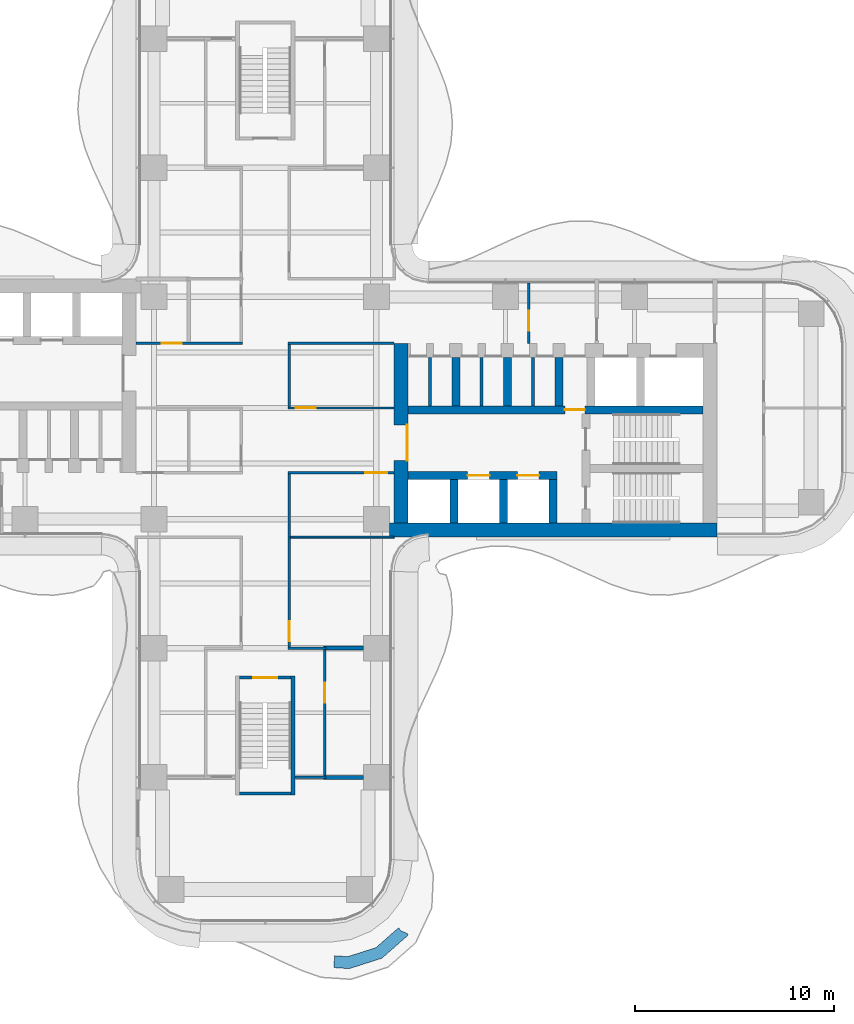
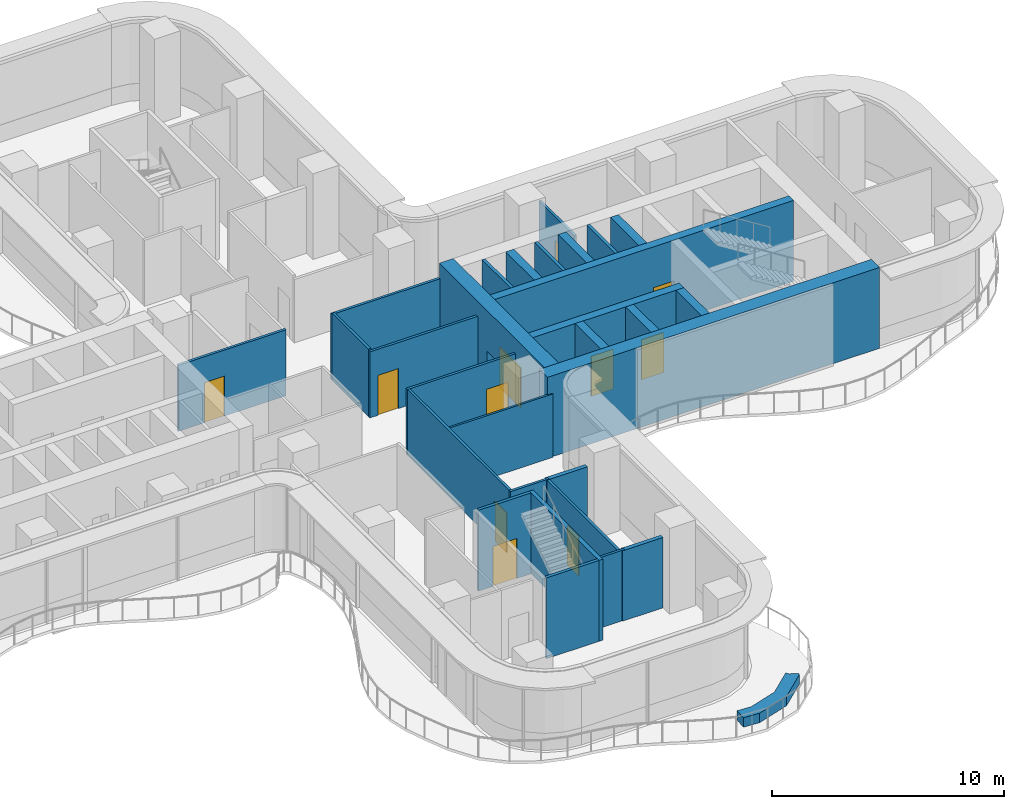
# One storey, part 17 of 21: 30 walls, 11 doors, 11 openings.
"""IFC4 building model written with IfcOpenShell, lengths in metres."""

from ifc_helpers import new_model, si_unit, direction, frame, frame_2d, origin, place, context, subcontext, project, spatial, polyline, rectangle, outline, extrude, source, transform, mapped, material, layer, layer_set, type_object, element, fill, save


model = new_model("IFC4")

# Units and contexts
model_context = context("Model", 3, precision=1e-05, world=origin(), true_north=direction((0.0, 1.0)))
body_context = subcontext(model_context, "Body", "Model", "MODEL_VIEW")
ifc_project = project(units=[si_unit("LENGTHUNIT", "METRE"), si_unit("AREAUNIT", "SQUARE_METRE"), si_unit("VOLUMEUNIT", "CUBIC_METRE"), si_unit("PLANEANGLEUNIT", "RADIAN"), si_unit("MASSUNIT", "GRAM", prefix="KILO")], contexts=[model_context])

# Site, building, storey
site_placement = place(None, origin())
site = spatial("IfcSite", under=ifc_project, at=site_placement, CompositionType="ELEMENT")
building_placement = place(site_placement, origin())
building = spatial("IfcBuilding", under=site, at=building_placement, Name="Trellis Farm Tower", CompositionType="ELEMENT")
storey_placement = place(building_placement, frame((0.0, 0.0, 147.0)))
storey = spatial("IfcBuildingStorey", under=building, at=storey_placement, Name="L31", CompositionType="ELEMENT", Elevation=147.0)

# Wall
ifc_material_1 = material(Name="Sandstone faced masonry planter", Category="masonry")
ifc_layer_1 = layer(ifc_material_1, 0.60009765625)
ifc_layer_set_1 = layer_set([ifc_layer_1], Name="PLANTER BED 600")
wall_type_1 = type_object("IfcWallType", Name="PLANTER BED 600", PredefinedType="USERDEFINED", material=ifc_layer_set_1)
wall_1_placement = place(storey_placement, origin())
element("IfcWall", 1, at=wall_1_placement, inside=storey, type_object=wall_type_1, Name="PLANTER bed", ObjectType="PLANTER", PredefinedType="USERDEFINED", context=body_context, shape_type="SweptSolid", body=[
    extrude(outline(polyline([(6.801025390625, -26.309814453125), (7.20068359375, -26.496826171875), (7.156005859375, -26.591796875), (5.87890625, -27.714599609375), (4.23828125, -28.23828125), (3.456298828125, -28.185791015625), (3.496337890625, -27.58740234375), (4.16455078125, -27.632080078125), (5.576904296875, -27.18115234375), (6.712890625, -26.1826171875), (6.81201171875, -26.295166015625), (6.801025390625, -26.309814453125)])), origin(), (0.0, 0.0, 1.0), 0.5),
])

# Wall, opening, door
ifc_material_2 = material(Name="Concrete C70/85", Category="concrete")
ifc_layer_2 = layer(ifc_material_2, 0.699951171875)
ifc_layer_set_2 = layer_set([ifc_layer_2], Name="CORE OUTER WALL 700 CONCRETE C70/85")
wall_type_2 = type_object("IfcWallType", Name="CORE OUTER WALL 700 CONCRETE C70/85", PredefinedType="SHEAR", material=ifc_layer_set_2)
shared_shape_1 = source(origin(), body_context, "Body", "SweptSolid", [
    extrude(rectangle(XDim=9.050048828125, YDim=0.699951171875, at=frame_2d((4.52490234375, 0.0))), origin(), (0.0, 0.0, 1.0), 4.25),
])
wall_2_placement = place(storey_placement, frame((6.85009765625, -5.800048828125, 0.0), z_axis=(0.0, 0.0, 1.0), x_axis=(0.0, 1.0, 0.0)))
wall_2 = element("IfcWall", 2, at=wall_2_placement, inside=storey, type_object=wall_type_2, Name="Core wall", PredefinedType="SHEAR", context=body_context, shape_type="MappedRepresentation", body=[
    mapped(shared_shape_1, transform((0.0, 0.0, 0.0))),
])
shared_shape_2 = source(origin(), body_context, "Body", "SweptSolid", [
    extrude(rectangle(XDim=1.800048828125, YDim=2.10009765625, at=frame_2d((0.89990234375, 1.050048828125))), frame((0.0, 0.360107421875, 0.0), z_axis=(0.0, -1.0, 0.0), x_axis=(1.0, 0.0, 0.0)), (0.0, 0.0, 1.0), 0.72021484375),
])
opening_1_placement = place(wall_2_placement, frame((3.14990234375, 0.0, 0.0)))
opening_1 = element("IfcOpeningElement", 3, at=opening_1_placement, cuts=wall_2, Name="Opening DC1", PredefinedType="OPENING", context=body_context, shape_type="MappedRepresentation", body=[
    mapped(shared_shape_2, transform((0.0, 0.0, 0.0))),
])
ifc_material_3 = material(Name="Steel", Category="steel")
door_type_1 = type_object("IfcDoorType", Name="CORE FIRE DOOR DOUBLE 1800 X 2100", OperationType="DOUBLE_DOOR_SINGLE_SWING", PredefinedType="DOOR", material=ifc_material_3)
shared_shape_3 = source(origin(), body_context, "Body", "SweptSolid", [
    extrude(rectangle(XDim=1.800048828125, YDim=2.10009765625, at=frame_2d((0.89990234375, 1.050048828125))), frame((0.0, -0.27490234375, 0.0), z_axis=(0.0, -1.0, 0.0), x_axis=(1.0, 0.0, 0.0)), (0.0, 0.0, 1.0), 0.050048828125),
])
door_1_placement = place(opening_1_placement, origin())
door_1 = element("IfcDoor", 4, at=door_1_placement, inside=storey, type_object=door_type_1, Name="Core door", OperationType="DOUBLE_DOOR_SINGLE_SWING", OverallHeight=2.10009765625, OverallWidth=1.800048828125, PredefinedType="DOOR", context=body_context, shape_type="MappedRepresentation", body=[
    mapped(shared_shape_3, transform((0.0, 0.0, 0.0))),
])
fill(opening_1, door_1)

# Walls
ifc_layer_3 = layer(ifc_material_2, 0.39990234375)
ifc_layer_set_3 = layer_set([ifc_layer_3], Name="CORE INNER WALL 400 CONCRETE C70/85")
wall_type_3 = type_object("IfcWallType", Name="CORE INNER WALL 400 CONCRETE C70/85", PredefinedType="SHEAR", material=ifc_layer_set_3)
shared_shape_4 = source(origin(), body_context, "Body", "SweptSolid", [
    extrude(rectangle(XDim=2.199951171875, YDim=0.39990234375, at=frame_2d((1.10009765625, 0.0))), origin(), (0.0, 0.0, 1.0), 4.25),
])
for number, where, z_axis, x_axis, name in (
    (5, (9.5, -5.800048828125, 0.0), (0.0, 0.0, 1.0), (0.0, 1.0, 0.0), "Core wall"),
    (6, (12.0, -5.800048828125, 0.0), (0.0, 0.0, 1.0), (0.0, 1.0, 0.0), "Core wall"),
    (7, (14.5, -5.800048828125, 0.0), (0.0, 0.0, 1.0), (0.0, 1.0, 0.0), "Core wall"),
):
    element("IfcWall", number, at=place(storey_placement, frame(where, z_axis=z_axis, x_axis=x_axis)), inside=storey, type_object=wall_type_3, Name=name, PredefinedType="SHEAR", context=body_context, shape_type="MappedRepresentation", body=[
        mapped(shared_shape_4, transform((0.0, 0.0, 0.0))),
    ])
shared_shape_5 = source(origin(), body_context, "Body", "SweptSolid", [
    extrude(rectangle(XDim=2.449951171875, YDim=0.39990234375, at=frame_2d((1.22509765625, 0.0))), origin(), (0.0, 0.0, 1.0), 4.25),
])
for number, where, z_axis, x_axis, name in (
    (8, (9.60009765625, 0.10009765625, 0.0), (0.0, 0.0, 1.0), (0.0, 1.0, 0.0), "Core wall"),
    (9, (12.199951171875, 0.10009765625, 0.0), (0.0, 0.0, 1.0), (0.0, 1.0, 0.0), "Core wall"),
    (10, (14.800048828125, 0.10009765625, 0.0), (0.0, 0.0, 1.0), (0.0, 1.0, 0.0), "Core wall"),
):
    element("IfcWall", number, at=place(storey_placement, frame(where, z_axis=z_axis, x_axis=x_axis)), inside=storey, type_object=wall_type_3, Name=name, PredefinedType="SHEAR", context=body_context, shape_type="MappedRepresentation", body=[
        mapped(shared_shape_5, transform((0.0, 0.0, 0.0))),
    ])

# Wall, openings, doors
shared_shape_6 = source(origin(), body_context, "Body", "SweptSolid", [
    extrude(rectangle(XDim=7.5, YDim=0.39990234375, at=frame_2d((3.75, 0.0))), origin(), (0.0, 0.0, 1.0), 4.25),
])
wall_3_placement = place(storey_placement, frame((7.199951171875, -3.39990234375, 0.0), z_axis=(0.0, 0.0, 1.0), x_axis=(1.0, 0.0, 0.0)))
wall_3 = element("IfcWall", 11, at=wall_3_placement, inside=storey, type_object=wall_type_3, Name="Core wall", PredefinedType="SHEAR", context=body_context, shape_type="MappedRepresentation", body=[
    mapped(shared_shape_6, transform((0.0, 0.0, 0.0))),
])
shared_shape_7 = source(origin(), body_context, "Body", "SweptSolid", [
    extrude(rectangle(XDim=1.10009765625, YDim=2.10009765625, at=frame_2d((0.550048828125, 1.050048828125))), frame((0.0, 0.2099609375, 0.0), z_axis=(0.0, -1.0, 0.0), x_axis=(1.0, 0.0, 0.0)), (0.0, 0.0, 1.0), 0.419921875),
])
opening_2_placement = place(wall_3_placement, frame((3.0, 0.0, 0.0)))
opening_2 = element("IfcOpeningElement", 12, at=opening_2_placement, cuts=wall_3, Name="Opening LD2", PredefinedType="OPENING", context=body_context, shape_type="MappedRepresentation", body=[
    mapped(shared_shape_7, transform((0.0, 0.0, 0.0))),
])
opening_3_placement = place(wall_3_placement, frame((5.5, 0.0, 0.0)))
opening_3 = element("IfcOpeningElement", 13, at=opening_3_placement, cuts=wall_3, Name="Opening LD3", PredefinedType="OPENING", context=body_context, shape_type="MappedRepresentation", body=[
    mapped(shared_shape_7, transform((0.0, 0.0, 0.0))),
])
ifc_material_4 = material(Name="Stainless steel", Category="steel")
door_type_2 = type_object("IfcDoorType", Name="LIFT LANDING DOOR 1100 X 2100", OperationType="DOUBLE_DOOR_SLIDING", PredefinedType="DOOR", material=ifc_material_4)
shared_shape_8 = source(origin(), body_context, "Body", "SweptSolid", [
    extrude(rectangle(XDim=1.10009765625, YDim=2.10009765625, at=frame_2d((0.550048828125, 1.050048828125))), frame((0.0, 0.02490234375, 0.0), z_axis=(0.0, -1.0, 0.0), x_axis=(1.0, 0.0, 0.0)), (0.0, 0.0, 1.0), 0.050048828125),
])
door_2_placement = place(opening_2_placement, origin())
door_2 = element("IfcDoor", 14, at=door_2_placement, inside=storey, type_object=door_type_2, Name="Lift landing door", OperationType="DOUBLE_DOOR_SLIDING", OverallHeight=2.10009765625, OverallWidth=1.10009765625, PredefinedType="DOOR", context=body_context, shape_type="MappedRepresentation", body=[
    mapped(shared_shape_8, transform((0.0, 0.0, 0.0))),
])
fill(opening_2, door_2)
door_3_placement = place(opening_3_placement, origin())
door_3 = element("IfcDoor", 15, at=door_3_placement, inside=storey, type_object=door_type_2, Name="Lift landing door", OperationType="DOUBLE_DOOR_SLIDING", OverallHeight=2.10009765625, OverallWidth=1.10009765625, PredefinedType="DOOR", context=body_context, shape_type="MappedRepresentation", body=[
    mapped(shared_shape_8, transform((0.0, 0.0, 0.0))),
])
fill(opening_3, door_3)

# Wall, opening, door
shared_shape_9 = source(origin(), body_context, "Body", "SweptSolid", [
    extrude(rectangle(XDim=14.85009765625, YDim=0.39990234375, at=frame_2d((7.425048828125, 0.0))), origin(), (0.0, 0.0, 1.0), 4.25),
])
wall_4_placement = place(storey_placement, frame((7.199951171875, -0.10009765625, 0.0), z_axis=(0.0, 0.0, 1.0), x_axis=(1.0, 0.0, 0.0)))
wall_4 = element("IfcWall", 16, at=wall_4_placement, inside=storey, type_object=wall_type_3, Name="Core wall", PredefinedType="SHEAR", context=body_context, shape_type="MappedRepresentation", body=[
    mapped(shared_shape_9, transform((0.0, 0.0, 0.0))),
])
shared_shape_10 = source(origin(), body_context, "Body", "SweptSolid", [
    extrude(rectangle(XDim=1.0, YDim=2.10009765625, at=frame_2d((0.5, 1.050048828125))), frame((0.0, 0.2099609375, 0.0), z_axis=(0.0, -1.0, 0.0), x_axis=(1.0, 0.0, 0.0)), (0.0, 0.0, 1.0), 0.419921875),
])
opening_4_placement = place(wall_4_placement, frame((7.89990234375, 0.0, 0.0)))
opening_4 = element("IfcOpeningElement", 17, at=opening_4_placement, cuts=wall_4, Name="Opening DC5", PredefinedType="OPENING", context=body_context, shape_type="MappedRepresentation", body=[
    mapped(shared_shape_10, transform((0.0, 0.0, 0.0))),
])
door_type_3 = type_object("IfcDoorType", Name="CORE FIRE DOOR 1000 X 2100", OperationType="NOTDEFINED", PredefinedType="DOOR", material=ifc_material_3)
shared_shape_11 = source(origin(), body_context, "Body", "SweptSolid", [
    extrude(rectangle(XDim=1.0, YDim=2.10009765625, at=frame_2d((0.5, 1.050048828125))), frame((0.0, 0.02490234375, 0.0), z_axis=(0.0, -1.0, 0.0), x_axis=(1.0, 0.0, 0.0)), (0.0, 0.0, 1.0), 0.050048828125),
])
door_4_placement = place(opening_4_placement, origin())
door_4 = element("IfcDoor", 18, at=door_4_placement, inside=storey, type_object=door_type_3, Name="Core door", OperationType="SINGLE_SWING_RIGHT", OverallHeight=2.10009765625, OverallWidth=1.0, PredefinedType="DOOR", context=body_context, shape_type="MappedRepresentation", body=[
    mapped(shared_shape_11, transform((0.0, 0.0, 0.0))),
])
fill(opening_4, door_4)

# Walls
ifc_material_5 = material(Name="Masonry blockwork", Category="masonry")
ifc_layer_4 = layer(ifc_material_5, 0.14990234375)
ifc_layer_set_4 = layer_set([ifc_layer_4], Name="CORE PARTITION 150 BLOCKWORK")
wall_type_4 = type_object("IfcWallType", Name="CORE PARTITION 150 BLOCKWORK", PredefinedType="PARTITIONING", material=ifc_layer_set_4)
shared_shape_12 = source(origin(), body_context, "Body", "SweptSolid", [
    extrude(rectangle(XDim=2.449951171875, YDim=0.14990234375, at=frame_2d((1.22509765625, 0.0))), origin(), (0.0, 0.0, 1.0), 4.25),
])
for number, where, z_axis, x_axis, name in (
    (19, (8.300048828125, 0.10009765625, 0.0), (0.0, 0.0, 1.0), (0.0, 1.0, 0.0), "Core room partition"),
    (20, (10.89990234375, 0.10009765625, 0.0), (0.0, 0.0, 1.0), (0.0, 1.0, 0.0), "Core room partition"),
    (21, (13.5, 0.10009765625, 0.0), (0.0, 0.0, 1.0), (0.0, 1.0, 0.0), "Core room partition"),
):
    element("IfcWall", number, at=place(storey_placement, frame(where, z_axis=z_axis, x_axis=x_axis)), inside=storey, type_object=wall_type_4, Name=name, PredefinedType="PARTITIONING", context=body_context, shape_type="MappedRepresentation", body=[
        mapped(shared_shape_12, transform((0.0, 0.0, 0.0))),
    ])
shared_shape_13 = source(origin(), body_context, "Body", "SweptSolid", [
    extrude(rectangle(XDim=16.5, YDim=0.699951171875, at=frame_2d((8.25, 0.0))), origin(), (0.0, 0.0, 1.0), 4.25),
])
wall_5_placement = place(storey_placement, frame((6.25, -6.14990234375, 0.0), z_axis=(0.0, 0.0, 1.0), x_axis=(1.0, 0.0, 0.0)))
element("IfcWall", 22, at=wall_5_placement, inside=storey, type_object=wall_type_2, Name="Core wall", PredefinedType="SHEAR", context=body_context, shape_type="MappedRepresentation", body=[
    mapped(shared_shape_13, transform((0.0, 0.0, 0.0))),
])
ifc_layer_5 = layer(ifc_material_2, 0.199951171875)
ifc_layer_set_5 = layer_set([ifc_layer_5], Name="CORE STAIR ENCLOSURE WALL 200 CONCRETE C70/85")
wall_type_5 = type_object("IfcWallType", Name="CORE STAIR ENCLOSURE WALL 200 CONCRETE C70/85", PredefinedType="SHEAR", material=ifc_layer_set_5)
shared_shape_14 = source(origin(), body_context, "Body", "SweptSolid", [
    extrude(rectangle(XDim=6.0, YDim=0.199951171875, at=frame_2d((3.0, 0.0))), origin(), (0.0, 0.0, 1.0), 4.25),
])
wall_6_placement = place(storey_placement, frame((1.39990234375, -13.5, 0.0), z_axis=(0.0, 0.0, 1.0), x_axis=(0.0, -1.0, 0.0)))
element("IfcWall", 23, at=wall_6_placement, inside=storey, type_object=wall_type_5, Name="Stair enclosure wall", PredefinedType="SHEAR", context=body_context, shape_type="MappedRepresentation", body=[
    mapped(shared_shape_14, transform((0.0, 0.0, 0.0))),
])

# Wall, opening, door
ifc_layer_6 = layer(ifc_material_2, 0.14990234375)
ifc_layer_set_6 = layer_set([ifc_layer_6], Name="CORE STAIR ENCLOSURE WALL 150 CONCRETE C70/85")
wall_type_6 = type_object("IfcWallType", Name="CORE STAIR ENCLOSURE WALL 150 CONCRETE C70/85", PredefinedType="SHEAR", material=ifc_layer_set_6)
shared_shape_15 = source(origin(), body_context, "Body", "SweptSolid", [
    extrude(rectangle(XDim=2.60009765625, YDim=0.14990234375, at=frame_2d((1.300048828125, 0.0))), origin(), (0.0, 0.0, 1.0), 4.25),
])
wall_7_placement = place(storey_placement, frame((1.300048828125, -13.574951171875, 0.0), z_axis=(0.0, 0.0, 1.0), x_axis=(-1.0, 0.0, 0.0)))
wall_7 = element("IfcWall", 24, at=wall_7_placement, inside=storey, type_object=wall_type_6, Name="Stair enclosure wall", PredefinedType="SHEAR", context=body_context, shape_type="MappedRepresentation", body=[
    mapped(shared_shape_15, transform((0.0, 0.0, 0.0))),
])
shared_shape_16 = source(origin(), body_context, "Body", "SweptSolid", [
    extrude(rectangle(XDim=1.199951171875, YDim=2.10009765625, at=frame_2d((0.60009765625, 1.050048828125))), frame((0.0, 0.0849609375, 0.0), z_axis=(0.0, -1.0, 0.0), x_axis=(1.0, 0.0, 0.0)), (0.0, 0.0, 1.0), 0.169921875),
])
opening_5_placement = place(wall_7_placement, frame((0.699951171875, 0.0, 0.0)))
opening_5 = element("IfcOpeningElement", 25, at=opening_5_placement, cuts=wall_7, Name="Opening DC174", PredefinedType="OPENING", context=body_context, shape_type="MappedRepresentation", body=[
    mapped(shared_shape_16, transform((0.0, 0.0, 0.0))),
])
door_type_4 = type_object("IfcDoorType", Name="CORE FIRE DOOR 1200 X 2100", OperationType="NOTDEFINED", PredefinedType="DOOR", material=ifc_material_3)
shared_shape_17 = source(origin(), body_context, "Body", "SweptSolid", [
    extrude(rectangle(XDim=1.199951171875, YDim=2.10009765625, at=frame_2d((0.60009765625, 1.050048828125))), frame((0.0, 0.02490234375, 0.0), z_axis=(0.0, -1.0, 0.0), x_axis=(1.0, 0.0, 0.0)), (0.0, 0.0, 1.0), 0.050048828125),
])
door_5_placement = place(opening_5_placement, origin())
door_5 = element("IfcDoor", 26, at=door_5_placement, inside=storey, type_object=door_type_4, Name="Core door", OperationType="SINGLE_SWING_RIGHT", OverallHeight=2.10009765625, OverallWidth=1.199951171875, PredefinedType="DOOR", context=body_context, shape_type="MappedRepresentation", body=[
    mapped(shared_shape_17, transform((0.0, 0.0, 0.0))),
])
fill(opening_5, door_5)

# Walls
wall_8_placement = place(storey_placement, frame((1.300048828125, -19.425048828125, 0.0), z_axis=(0.0, 0.0, 1.0), x_axis=(-1.0, 0.0, 0.0)))
element("IfcWall", 27, at=wall_8_placement, inside=storey, type_object=wall_type_6, Name="Stair enclosure wall", PredefinedType="SHEAR", context=body_context, shape_type="MappedRepresentation", body=[
    mapped(shared_shape_15, transform((0.0, 0.0, 0.0))),
])
ifc_material_6 = material(Name="Plasterboard on steel studs, mineral wool", Category="steel")
ifc_layer_7 = layer(ifc_material_6, 0.125)
ifc_layer_set_7 = layer_set([ifc_layer_7], Name="PARTITION 125 STUD EI 60")
wall_type_7 = type_object("IfcWallType", Name="PARTITION 125 STUD EI 60", PredefinedType="PARTITIONING", material=ifc_layer_set_7)
shared_shape_18 = source(origin(), body_context, "Body", "SweptSolid", [
    extrude(rectangle(XDim=3.125, YDim=0.125, at=frame_2d((1.5625, 0.0))), origin(), (0.0, 0.0, 1.0), 3.54638671875),
])
wall_9_placement = place(storey_placement, frame((1.199951171875, 3.1875, 0.0), z_axis=(0.0, 0.0, 1.0), x_axis=(0.0, -1.0, 0.0)))
element("IfcWall", 28, at=wall_9_placement, inside=storey, type_object=wall_type_7, Name="Partition PW1", PredefinedType="PARTITIONING", context=body_context, shape_type="MappedRepresentation", body=[
    mapped(shared_shape_18, transform((0.0, 0.0, 0.0))),
])
shared_shape_19 = source(origin(), body_context, "Body", "SweptSolid", [
    extrude(rectangle(XDim=1.925048828125, YDim=0.125, at=frame_2d((0.96240234375, 0.0))), origin(), (0.0, 0.0, 1.0), 3.4677734375),
])
wall_10_placement = place(storey_placement, frame((1.137451171875, -12.10009765625, 0.0), z_axis=(0.0, 0.0, 1.0), x_axis=(1.0, 0.0, 0.0)))
element("IfcWall", 29, at=wall_10_placement, inside=storey, type_object=wall_type_7, Name="Partition PW1", PredefinedType="PARTITIONING", context=body_context, shape_type="MappedRepresentation", body=[
    mapped(shared_shape_19, transform((0.0, 0.0, 0.0))),
])

# Wall, opening, door
shared_shape_20 = source(origin(), body_context, "Body", "SweptSolid", [
    extrude(rectangle(XDim=5.362548828125, YDim=0.125, at=frame_2d((2.68115234375, 0.0))), origin(), (0.0, 0.0, 1.0), 3.4677734375),
])
wall_11_placement = place(storey_placement, frame((6.5, -3.25, 0.0), z_axis=(0.0, 0.0, 1.0), x_axis=(-1.0, 0.0, 0.0)))
wall_11 = element("IfcWall", 30, at=wall_11_placement, inside=storey, type_object=wall_type_7, Name="Partition PW1", PredefinedType="PARTITIONING", context=body_context, shape_type="MappedRepresentation", body=[
    mapped(shared_shape_20, transform((0.0, 0.0, 0.0))),
])
shared_shape_21 = source(origin(), body_context, "Body", "SweptSolid", [
    extrude(rectangle(XDim=1.10009765625, YDim=2.10009765625, at=frame_2d((0.550048828125, 1.050048828125))), frame((0.0, 0.072509765625, 0.0), z_axis=(0.0, -1.0, 0.0), x_axis=(1.0, 0.0, 0.0)), (0.0, 0.0, 1.0), 0.14501953125),
])
opening_6_placement = place(wall_11_placement, frame((0.35009765625, 0.0, 0.0)))
opening_6 = element("IfcOpeningElement", 31, at=opening_6_placement, cuts=wall_11, Name="Opening D501", PredefinedType="OPENING", context=body_context, shape_type="MappedRepresentation", body=[
    mapped(shared_shape_21, transform((0.0, 0.0, 0.0))),
])
ifc_material_7 = material(Name="Fire-rated timber door leaf in a hollow metal frame", Category="wood")
door_type_5 = type_object("IfcDoorType", Name="DOOR 1100x2100 FD30S", OperationType="NOTDEFINED", PredefinedType="DOOR", material=ifc_material_7)
door_6_placement = place(opening_6_placement, origin())
door_6 = element("IfcDoor", 32, at=door_6_placement, inside=storey, type_object=door_type_5, Name="Door D501", OperationType="SINGLE_SWING_LEFT", OverallHeight=2.10009765625, OverallWidth=1.10009765625, PredefinedType="DOOR", context=body_context, shape_type="MappedRepresentation", body=[
    mapped(shared_shape_8, transform((0.0, 0.0, 0.0))),
])
fill(opening_6, door_6)

wall_12_placement = place(storey_placement, frame((6.5, 0.0, 0.0), z_axis=(0.0, 0.0, 1.0), x_axis=(-1.0, 0.0, 0.0)))
wall_12 = element("IfcWall", 33, at=wall_12_placement, inside=storey, type_object=wall_type_7, Name="Partition PW1", PredefinedType="PARTITIONING", context=body_context, shape_type="MappedRepresentation", body=[
    mapped(shared_shape_20, transform((0.0, 0.0, 0.0))),
])
shared_shape_22 = source(origin(), body_context, "Body", "SweptSolid", [
    extrude(rectangle(XDim=1.0, YDim=2.10009765625, at=frame_2d((0.5, 1.050048828125))), frame((0.0, 0.072509765625, 0.0), z_axis=(0.0, -1.0, 0.0), x_axis=(1.0, 0.0, 0.0)), (0.0, 0.0, 1.0), 0.14501953125),
])
opening_7_placement = place(wall_12_placement, frame((3.949951171875, 0.0, 0.0)))
opening_7 = element("IfcOpeningElement", 34, at=opening_7_placement, cuts=wall_12, Name="Opening D108", PredefinedType="OPENING", context=body_context, shape_type="MappedRepresentation", body=[
    mapped(shared_shape_22, transform((0.0, 0.0, 0.0))),
])
door_type_6 = type_object("IfcDoorType", Name="DOOR 1000x2100 FD30S", OperationType="NOTDEFINED", PredefinedType="DOOR", material=ifc_material_7)
door_7_placement = place(opening_7_placement, origin())
door_7 = element("IfcDoor", 35, at=door_7_placement, inside=storey, type_object=door_type_6, Name="Door D108", OperationType="SINGLE_SWING_RIGHT", OverallHeight=2.10009765625, OverallWidth=1.0, PredefinedType="DOOR", context=body_context, shape_type="MappedRepresentation", body=[
    mapped(shared_shape_11, transform((0.0, 0.0, 0.0))),
])
fill(opening_7, door_7)

wall_13_placement = place(storey_placement, frame((-6.5, 3.25, 0.0), z_axis=(0.0, 0.0, 1.0), x_axis=(1.0, 0.0, 0.0)))
wall_13 = element("IfcWall", 36, at=wall_13_placement, inside=storey, type_object=wall_type_7, Name="Partition PW1", PredefinedType="PARTITIONING", context=body_context, shape_type="MappedRepresentation", body=[
    mapped(shared_shape_20, transform((0.0, 0.0, 0.0))),
])
opening_8_placement = place(wall_13_placement, frame((1.300048828125, 0.0, 0.0)))
opening_8 = element("IfcOpeningElement", 37, at=opening_8_placement, cuts=wall_13, Name="Opening D302", PredefinedType="OPENING", context=body_context, shape_type="MappedRepresentation", body=[
    mapped(shared_shape_22, transform((0.0, 0.0, 0.0))),
])
door_type_7 = type_object("IfcDoorType", Name="DOOR 1000x2100 FD60", OperationType="NOTDEFINED", PredefinedType="DOOR", material=ifc_material_7)
door_8_placement = place(opening_8_placement, origin())
door_8 = element("IfcDoor", 38, at=door_8_placement, inside=storey, type_object=door_type_7, Name="Door D302", OperationType="SINGLE_SWING_RIGHT", OverallHeight=2.10009765625, OverallWidth=1.0, PredefinedType="DOOR", context=body_context, shape_type="MappedRepresentation", body=[
    mapped(shared_shape_11, transform((0.0, 0.0, 0.0))),
])
fill(opening_8, door_8)

# Wall
wall_14_placement = place(storey_placement, frame((1.137451171875, 3.25, 0.0), z_axis=(0.0, 0.0, 1.0), x_axis=(1.0, 0.0, 0.0)))
element("IfcWall", 39, at=wall_14_placement, inside=storey, type_object=wall_type_7, Name="Partition PW1", PredefinedType="PARTITIONING", context=body_context, shape_type="MappedRepresentation", body=[
    mapped(shared_shape_20, transform((0.0, 0.0, 0.0))),
])

# Wall, opening, door
shared_shape_23 = source(origin(), body_context, "Body", "SweptSolid", [
    extrude(rectangle(XDim=6.300048828125, YDim=0.125, at=frame_2d((3.14990234375, 0.0))), origin(), (0.0, 0.0, 1.0), 3.4677734375),
])
wall_15_placement = place(storey_placement, frame((3.0, -12.199951171875, 0.0), z_axis=(0.0, 0.0, 1.0), x_axis=(0.0, -1.0, 0.0)))
wall_15 = element("IfcWall", 40, at=wall_15_placement, inside=storey, type_object=wall_type_7, Name="Partition PW1", PredefinedType="PARTITIONING", context=body_context, shape_type="MappedRepresentation", body=[
    mapped(shared_shape_23, transform((0.0, 0.0, 0.0))),
])
opening_9_placement = place(wall_15_placement, frame((1.64990234375, 0.0, 0.0)))
opening_9 = element("IfcOpeningElement", 41, at=opening_9_placement, cuts=wall_15, Name="Opening D102", PredefinedType="OPENING", context=body_context, shape_type="MappedRepresentation", body=[
    mapped(shared_shape_22, transform((0.0, 0.0, 0.0))),
])
door_9_placement = place(opening_9_placement, origin())
door_9 = element("IfcDoor", 42, at=door_9_placement, inside=storey, type_object=door_type_6, Name="Door D102", OperationType="SINGLE_SWING_LEFT", OverallHeight=2.10009765625, OverallWidth=1.0, PredefinedType="DOOR", context=body_context, shape_type="MappedRepresentation", body=[
    mapped(shared_shape_11, transform((0.0, 0.0, 0.0))),
])
fill(opening_9, door_9)

shared_shape_24 = source(origin(), body_context, "Body", "SweptSolid", [
    extrude(rectangle(XDim=8.72509765625, YDim=0.125, at=frame_2d((4.362548828125, 0.0))), origin(), (0.0, 0.0, 1.0), 3.4677734375),
])
wall_16_placement = place(storey_placement, frame((1.199951171875, -3.3125, 0.0), z_axis=(0.0, 0.0, 1.0), x_axis=(0.0, -1.0, 0.0)))
wall_16 = element("IfcWall", 43, at=wall_16_placement, inside=storey, type_object=wall_type_7, Name="Partition PW1", PredefinedType="PARTITIONING", context=body_context, shape_type="MappedRepresentation", body=[
    mapped(shared_shape_24, transform((0.0, 0.0, 0.0))),
])
opening_10_placement = place(wall_16_placement, frame((7.4375, 0.0, 0.0)))
opening_10 = element("IfcOpeningElement", 44, at=opening_10_placement, cuts=wall_16, Name="Opening D103", PredefinedType="OPENING", context=body_context, shape_type="MappedRepresentation", body=[
    mapped(shared_shape_22, transform((0.0, 0.0, 0.0))),
])
door_10_placement = place(opening_10_placement, origin())
door_10 = element("IfcDoor", 45, at=door_10_placement, inside=storey, type_object=door_type_6, Name="Door D103", OperationType="SINGLE_SWING_RIGHT", OverallHeight=2.10009765625, OverallWidth=1.0, PredefinedType="DOOR", context=body_context, shape_type="MappedRepresentation", body=[
    mapped(shared_shape_11, transform((0.0, 0.0, 0.0))),
])
fill(opening_10, door_10)

# Wall
ifc_material_8 = material(Name="Plasterboard on steel studs", Category="steel")
ifc_layer_8 = layer(ifc_material_8, 0.10009765625)
ifc_layer_set_8 = layer_set([ifc_layer_8], Name="PARTITION 100 STUD EI 30")
wall_type_8 = type_object("IfcWallType", Name="PARTITION 100 STUD EI 30", PredefinedType="PARTITIONING", material=ifc_layer_set_8)
shared_shape_25 = source(origin(), body_context, "Body", "SweptSolid", [
    extrude(rectangle(XDim=5.237548828125, YDim=0.10009765625, at=frame_2d((2.61865234375, 0.0))), origin(), (0.0, 0.0, 1.0), 3.330078125),
])
wall_17_placement = place(storey_placement, frame((1.262451171875, -6.5, 0.0), z_axis=(0.0, 0.0, 1.0), x_axis=(1.0, 0.0, 0.0)))
element("IfcWall", 46, at=wall_17_placement, inside=storey, type_object=wall_type_8, Name="Partition PW2", PredefinedType="PARTITIONING", context=body_context, shape_type="MappedRepresentation", body=[
    mapped(shared_shape_25, transform((0.0, 0.0, 0.0))),
])

# Wall, opening, door
shared_shape_26 = source(origin(), body_context, "Body", "SweptSolid", [
    extrude(rectangle(XDim=3.050048828125, YDim=0.125, at=frame_2d((1.52490234375, 0.0))), origin(), (0.0, 0.0, 1.0), 3.330078125),
])
wall_18_placement = place(storey_placement, frame((13.26708984375, 3.25, 0.0), z_axis=(0.0, 0.0, 1.0), x_axis=(0.0, 1.0, 0.0)))
wall_18 = element("IfcWall", 47, at=wall_18_placement, inside=storey, type_object=wall_type_7, Name="Partition PW1", PredefinedType="PARTITIONING", context=body_context, shape_type="MappedRepresentation", body=[
    mapped(shared_shape_26, transform((0.0, 0.0, 0.0))),
])
opening_11_placement = place(wall_18_placement, frame((0.64990234375, 0.0, 0.0)))
opening_11 = element("IfcOpeningElement", 48, at=opening_11_placement, cuts=wall_18, Name="Opening D303", PredefinedType="OPENING", context=body_context, shape_type="MappedRepresentation", body=[
    mapped(shared_shape_22, transform((0.0, 0.0, 0.0))),
])
door_11_placement = place(opening_11_placement, origin())
door_11 = element("IfcDoor", 49, at=door_11_placement, inside=storey, type_object=door_type_7, Name="Door D303", OperationType="SINGLE_SWING_LEFT", OverallHeight=2.10009765625, OverallWidth=1.0, PredefinedType="DOOR", context=body_context, shape_type="MappedRepresentation", body=[
    mapped(shared_shape_11, transform((0.0, 0.0, 0.0))),
])
fill(opening_11, door_11)

# Walls
shared_shape_27 = source(origin(), body_context, "Body", "SweptSolid", [
    extrude(rectangle(XDim=1.5625, YDim=0.125, at=frame_2d((0.78125, 0.0))), origin(), (0.0, 0.0, 1.0), 3.697021484375),
])
wall_19_placement = place(storey_placement, frame((3.0625, -18.60009765625, 0.0), z_axis=(0.0, 0.0, 1.0), x_axis=(-1.0, 0.0, 0.0)))
element("IfcWall", 50, at=wall_19_placement, inside=storey, type_object=wall_type_7, Name="Partition PW1", PredefinedType="PARTITIONING", context=body_context, shape_type="MappedRepresentation", body=[
    mapped(shared_shape_27, transform((0.0, 0.0, 0.0))),
])
ifc_material_9 = material(Name="Lightweight blockwork, plastered", Category="masonry")
ifc_layer_9 = layer(ifc_material_9, 0.199951171875)
ifc_layer_set_9 = layer_set([ifc_layer_9], Name="BLOCK WALL 200 EI 120")
wall_type_9 = type_object("IfcWallType", Name="BLOCK WALL 200 EI 120", PredefinedType="PARTITIONING", material=ifc_layer_set_9)
shared_shape_28 = source(origin(), body_context, "Body", "SweptSolid", [
    extrude(rectangle(XDim=2.012451171875, YDim=0.199951171875, at=frame_2d((1.00634765625, 0.0))), origin(), (0.0, 0.0, 1.0), 3.697021484375),
])
wall_20_placement = place(storey_placement, frame((2.9375, -18.60009765625, 0.0), z_axis=(0.0, 0.0, 1.0), x_axis=(1.0, 0.0, 0.0)))
element("IfcWall", 51, at=wall_20_placement, inside=storey, type_object=wall_type_9, Name="Partition PW3", PredefinedType="PARTITIONING", context=body_context, shape_type="MappedRepresentation", body=[
    mapped(shared_shape_28, transform((0.0, 0.0, 0.0))),
])
shared_shape_29 = source(origin(), body_context, "Body", "SweptSolid", [
    extrude(rectangle(XDim=2.012451171875, YDim=0.199951171875, at=frame_2d((1.00634765625, 0.0))), origin(), (0.0, 0.0, 1.0), 3.4677734375),
])
wall_21_placement = place(storey_placement, frame((2.9375, -12.10009765625, 0.0), z_axis=(0.0, 0.0, 1.0), x_axis=(1.0, 0.0, 0.0)))
element("IfcWall", 52, at=wall_21_placement, inside=storey, type_object=wall_type_9, Name="Partition PW3", PredefinedType="PARTITIONING", context=body_context, shape_type="MappedRepresentation", body=[
    mapped(shared_shape_29, transform((0.0, 0.0, 0.0))),
])

save(model, "model.ifc")
